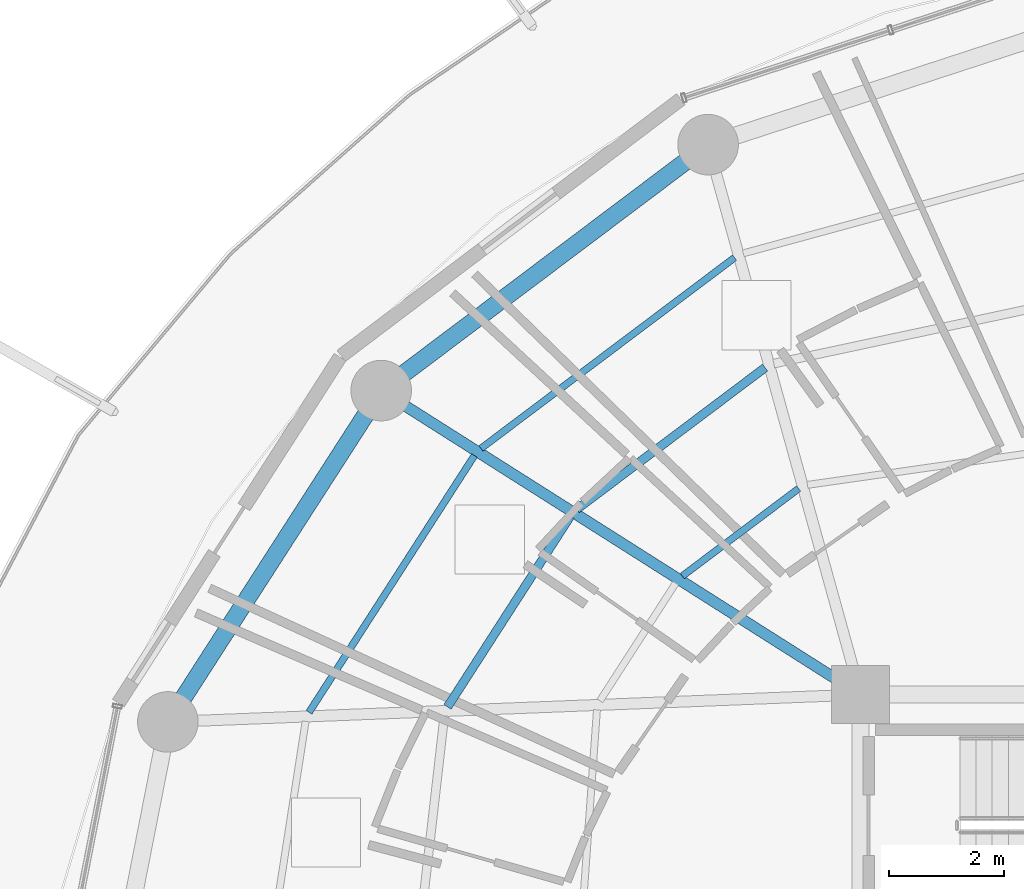
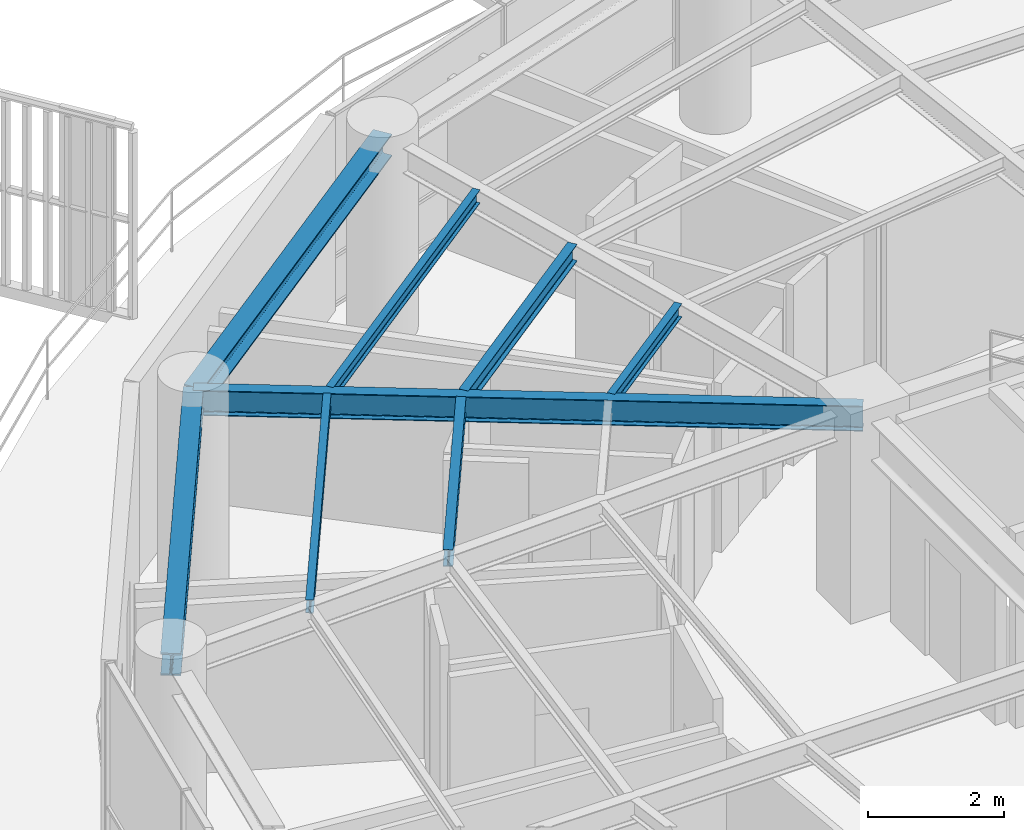
# One storey, part 17 of 31: 8 beams.
"""IFC4 building model written with IfcOpenShell, lengths in metres."""

from ifc_helpers import new_model, si_unit, direction, frame, origin, origin_2d, place, context, subcontext, project, spatial, i_section, extrude, material, material_profile, profile_set, type_object, element, save


model = new_model("IFC4")

# Units and contexts
model_context = context("Model", 3, precision=1e-05, world=origin(), true_north=direction((0.0, 1.0)))
body_context = subcontext(model_context, "Body", "Model", "MODEL_VIEW")
ifc_project = project(units=[si_unit("LENGTHUNIT", "METRE"), si_unit("AREAUNIT", "SQUARE_METRE"), si_unit("VOLUMEUNIT", "CUBIC_METRE"), si_unit("PLANEANGLEUNIT", "RADIAN"), si_unit("MASSUNIT", "GRAM", prefix="KILO")], contexts=[model_context])

# Site, building, storey
site_placement = place(None, origin())
site = spatial("IfcSite", under=ifc_project, at=site_placement, CompositionType="ELEMENT")
building_placement = place(site_placement, origin())
building = spatial("IfcBuilding", under=site, at=building_placement, Name="Kelanora Arch Commons", CompositionType="ELEMENT")
storey_placement = place(building_placement, frame((0.0, 0.0, 219.449951171875)))
storey = spatial("IfcBuildingStorey", under=building, at=storey_placement, Name="L56", CompositionType="ELEMENT", Elevation=219.449951171875)

# Beams
ifc_material = material(Name="Steel S355", Category="steel")
ifc_material_profile_1 = material_profile(ifc_material, i_section(OverallWidth=0.14990234375, OverallDepth=0.300048828125, WebThickness=0.007080078125, FlangeThickness=0.0107421875, FilletRadius=0.014892578125, at=origin_2d()), Name="IPE300")
ifc_profile_set_1 = profile_set([ifc_material_profile_1], Name="Steel S355")
beam_type_1 = type_object("IfcBeamType", Name="BM-JST-01", PredefinedType="JOIST", material=ifc_profile_set_1)
beam_1_placement = place(storey_placement, frame((64.34814453125, 70.6630859375, 3.340087890625), z_axis=(-0.799101708656, -0.601195857624, 0.0), x_axis=(0.601195857624, -0.799101708656, 0.0)))
element("IfcBeam", 1, at=beam_1_placement, inside=storey, type_object=beam_type_1, Name="Secondary Chord Joist BJB-12 L56", PredefinedType="JOIST", context=body_context, shape_type="SweptSolid", body=[
    extrude(i_section(OverallWidth=0.14990234375, OverallDepth=0.300048828125, WebThickness=0.007080078125, FlangeThickness=0.0107421875, FilletRadius=0.014892578125, at=origin_2d()), origin(), (0.0, 0.0, 1.0), 4.080810546875),
])
beam_2_placement = place(storey_placement, frame((60.97314453125, 68.087158203125, 3.340087890625), z_axis=(-0.541411265892, -0.840757896879, 0.0), x_axis=(0.840757896879, -0.541411265892, 0.0)))
element("IfcBeam", 2, at=beam_2_placement, inside=storey, type_object=beam_type_1, Name="Secondary Chord Joist BJB-14 L56", PredefinedType="JOIST", context=body_context, shape_type="SweptSolid", body=[
    extrude(i_section(OverallWidth=0.14990234375, OverallDepth=0.300048828125, WebThickness=0.007080078125, FlangeThickness=0.0107421875, FilletRadius=0.014892578125, at=origin_2d()), origin(), (0.0, 0.0, 1.0), 3.92529296875),
])
ifc_material_profile_2 = material_profile(ifc_material, i_section(OverallWidth=0.1201171875, OverallDepth=0.239990234375, WebThickness=0.006103515625, FlangeThickness=0.009765625, FilletRadius=0.014892578125, at=origin_2d()), Name="IPE240")
ifc_profile_set_2 = profile_set([ifc_material_profile_2], Name="Steel S355")
beam_type_2 = type_object("IfcBeamType", Name="BM-JST-02", PredefinedType="JOIST", material=ifc_profile_set_2)
beam_3_placement = place(storey_placement, frame((64.928955078125, 68.56787109375, 3.3701171875), z_axis=(-0.79911638933, -0.601176343766, 0.0), x_axis=(0.601176343766, -0.79911638933, 0.0)))
element("IfcBeam", 3, at=beam_3_placement, inside=storey, type_object=beam_type_2, Name="Secondary Chord Joist BJA-12 L56", PredefinedType="JOIST", context=body_context, shape_type="SweptSolid", body=[
    extrude(i_section(OverallWidth=0.1201171875, OverallDepth=0.239990234375, WebThickness=0.006103515625, FlangeThickness=0.009765625, FilletRadius=0.014892578125, at=origin_2d()), origin(), (0.0, 0.0, 1.0), 2.522216796875),
])
beam_4_placement = place(storey_placement, frame((63.820068359375, 72.56787109375, 3.3701171875), z_axis=(-0.799109197935, -0.601185902842, 0.0), x_axis=(0.601185902842, -0.799109197935, 0.0)))
element("IfcBeam", 4, at=beam_4_placement, inside=storey, type_object=beam_type_2, Name="Secondary Chord Joist BJC-12 L56", PredefinedType="JOIST", context=body_context, shape_type="SweptSolid", body=[
    extrude(i_section(OverallWidth=0.1201171875, OverallDepth=0.239990234375, WebThickness=0.006103515625, FlangeThickness=0.009765625, FilletRadius=0.014892578125, at=origin_2d()), origin(), (0.0, 0.0, 1.0), 5.497802734375),
])
beam_5_placement = place(storey_placement, frame((59.31298828125, 69.14013671875, 3.3701171875), z_axis=(-0.541382492679, -0.840776424872, 0.0), x_axis=(0.840776424872, -0.541382492679, 0.0)))
element("IfcBeam", 5, at=beam_5_placement, inside=storey, type_object=beam_type_2, Name="Secondary Chord Joist BJC-14 L56", PredefinedType="JOIST", context=body_context, shape_type="SweptSolid", body=[
    extrude(i_section(OverallWidth=0.1201171875, OverallDepth=0.239990234375, WebThickness=0.006103515625, FlangeThickness=0.009765625, FilletRadius=0.014892578125, at=origin_2d()), origin(), (0.0, 0.0, 1.0), 5.29052734375),
])
ifc_material_profile_3 = material_profile(ifc_material, i_section(OverallWidth=0.18994140625, OverallDepth=0.449951171875, WebThickness=0.009521484375, FlangeThickness=0.0146484375, FilletRadius=0.02099609375, at=origin_2d()), Name="IPE450")
ifc_profile_set_3 = profile_set([ifc_material_profile_3], Name="Steel S355")
beam_type_3 = type_object("IfcBeamType", Name="BM-RAD-Z4", PredefinedType="BEAM", material=ifc_profile_set_3)
beam_6_placement = place(storey_placement, frame((66.0, 65.0, 3.26513671875), z_axis=(-0.844507208607, 0.535544185489, 0.0), x_axis=(-0.535544185489, -0.844507208607, 0.0)))
element("IfcBeam", 6, at=beam_6_placement, inside=storey, type_object=beam_type_3, Name="Radial Floor Girder BR-14 L56", PredefinedType="BEAM", context=body_context, shape_type="SweptSolid", body=[
    extrude(i_section(OverallWidth=0.18994140625, OverallDepth=0.449951171875, WebThickness=0.009521484375, FlangeThickness=0.0146484375, FilletRadius=0.02099609375, at=origin_2d()), origin(), (0.0, 0.0, 1.0), 9.830078125),
])
ifc_material_profile_4 = material_profile(ifc_material, i_section(OverallWidth=0.300048828125, OverallDepth=0.39990234375, WebThickness=0.013427734375, FlangeThickness=0.02392578125, FilletRadius=0.027099609375, at=origin_2d()), Name="HEB400")
ifc_profile_set_4 = profile_set([ifc_material_profile_4], Name="Steel S355")
beam_type_4 = type_object("IfcBeamType", Name="BM-SPN-Z4", PredefinedType="SPANDREL", material=ifc_profile_set_4)
beam_7_placement = place(storey_placement, frame((63.360107421875, 74.523681640625, 3.2900390625), z_axis=(-0.799114211715, -0.60117923836, 0.0), x_axis=(0.60117923836, -0.799114211715, 0.0)))
element("IfcBeam", 7, at=beam_7_placement, inside=storey, type_object=beam_type_4, Name="Perimeter Spandrel Beam BS-12 L56", PredefinedType="SPANDREL", context=body_context, shape_type="SweptSolid", body=[
    extrude(i_section(OverallWidth=0.300048828125, OverallDepth=0.39990234375, WebThickness=0.013427734375, FlangeThickness=0.02392578125, FilletRadius=0.027099609375, at=origin_2d()), origin(), (0.0, 0.0, 1.0), 7.0849609375),
])
beam_8_placement = place(storey_placement, frame((57.698486328125, 70.264404296875, 3.2900390625), z_axis=(-0.541364878868, -0.840787766281, 0.0), x_axis=(0.840787766281, -0.541364878868, 0.0)))
element("IfcBeam", 8, at=beam_8_placement, inside=storey, type_object=beam_type_4, Name="Perimeter Spandrel Beam BS-14 L56", PredefinedType="SPANDREL", context=body_context, shape_type="SweptSolid", body=[
    extrude(i_section(OverallWidth=0.300048828125, OverallDepth=0.39990234375, WebThickness=0.013427734375, FlangeThickness=0.02392578125, FilletRadius=0.027099609375, at=origin_2d()), origin(), (0.0, 0.0, 1.0), 6.825439453125),
])

save(model, "model.ifc")
